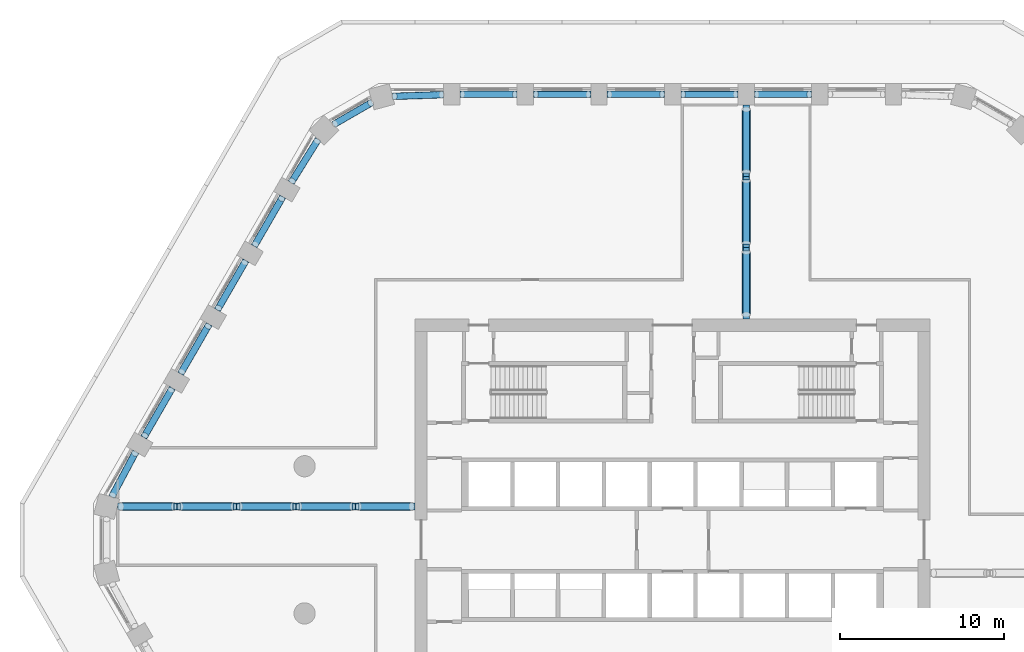
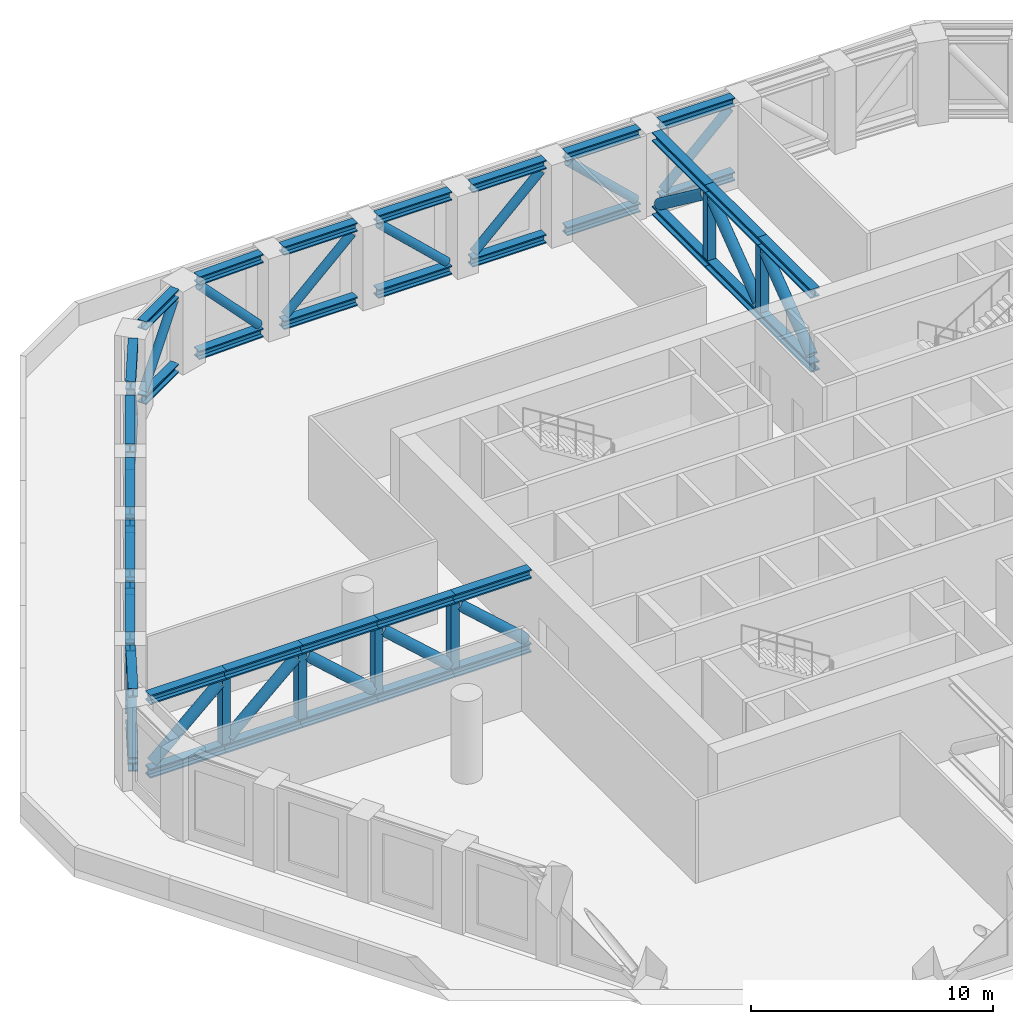
# One storey, part 3 of 18: 42 beams, 27 members.
"""IFC4 building model written with IfcOpenShell, lengths in metres."""

from ifc_helpers import new_model, si_unit, direction, frame, origin, origin_2d, place, context, subcontext, project, spatial, hollow_rectangle, hollow_circle, i_section, extrude, material, material_profile, profile_set, type_object, element, save


model = new_model("IFC4")

# Units and contexts
model_context = context("Model", 3, precision=1e-05, world=origin(), true_north=direction((0.0, 1.0)))
body_context = subcontext(model_context, "Body", "Model", "MODEL_VIEW")
ifc_project = project(units=[si_unit("LENGTHUNIT", "METRE"), si_unit("AREAUNIT", "SQUARE_METRE"), si_unit("VOLUMEUNIT", "CUBIC_METRE"), si_unit("PLANEANGLEUNIT", "RADIAN"), si_unit("MASSUNIT", "GRAM", prefix="KILO")], contexts=[model_context])

# Site, building, storey
site_placement = place(None, origin())
site = spatial("IfcSite", under=ifc_project, at=site_placement, CompositionType="ELEMENT")
building_placement = place(site_placement, origin())
building = spatial("IfcBuilding", under=site, at=building_placement, Name="Dhurran Vertical Campus", CompositionType="ELEMENT")
storey_placement = place(building_placement, frame((0.0, 0.0, 128.10009765625)))
storey = spatial("IfcBuildingStorey", under=building, at=storey_placement, Name="L31 Plant", CompositionType="ELEMENT", Elevation=128.10009765625)

# Beams
ifc_material_1 = material(Name="Steel ASTM A992", Category="steel")
ifc_material_profile_1 = material_profile(ifc_material_1, i_section(OverallWidth=0.412109375, OverallDepth=0.43505859375, WebThickness=0.035888671875, FlangeThickness=0.057373046875, at=origin_2d()), Name="W360x463")
ifc_profile_set_1 = profile_set([ifc_material_profile_1], Name="Steel ASTM A992")
beam_type_1 = type_object("IfcBeamType", Name="FR BELT CHORD W360x463", PredefinedType="BEAM", material=ifc_profile_set_1)
for number, where, z_axis, x_axis, name in (
    (1, (8.5, 27.232666015625, 0.21728515625), (-1.0, 0.0, 0.0), (0.0, -1.0, 0.0), "Belt truss chord L31"),
    (2, (8.5, 27.232666015625, 3.95751953125), (-1.0, 0.0, 0.0), (0.0, -1.0, 0.0), "Belt truss chord L31"),
    (3, (4.0, 27.232666015625, 0.21728515625), (-1.0, 0.0, 0.0), (0.0, -1.0, 0.0), "Belt truss chord L31"),
    (4, (4.0, 27.232666015625, 3.95751953125), (-1.0, 0.0, 0.0), (0.0, -1.0, 0.0), "Belt truss chord L31"),
    (5, (-0.5, 27.232666015625, 0.21728515625), (-1.0, 0.0, 0.0), (0.0, -1.0, 0.0), "Belt truss chord L31"),
    (6, (-0.5, 27.232666015625, 3.95751953125), (-1.0, 0.0, 0.0), (0.0, -1.0, 0.0), "Belt truss chord L31"),
    (7, (-5.0, 27.232666015625, 0.21728515625), (-1.0, 0.0, 0.0), (0.0, -1.0, 0.0), "Belt truss chord L31"),
    (8, (-5.0, 27.232666015625, 3.95751953125), (-1.0, 0.0, 0.0), (0.0, -1.0, 0.0), "Belt truss chord L31"),
    (9, (-9.5, 27.232666015625, 0.21728515625), (-1.0, 0.0, 0.0), (0.0, -1.0, 0.0), "Belt truss chord L31"),
    (10, (-9.5, 27.232666015625, 3.95751953125), (-1.0, 0.0, 0.0), (0.0, -1.0, 0.0), "Belt truss chord L31"),
):
    element("IfcBeam", number, at=place(storey_placement, frame(where, z_axis=z_axis, x_axis=x_axis)), inside=storey, type_object=beam_type_1, Name=name, PredefinedType="BEAM", context=body_context, shape_type="SweptSolid", body=[
        extrude(i_section(OverallWidth=0.412109375, OverallDepth=0.43505859375, WebThickness=0.035888671875, FlangeThickness=0.057373046875, at=origin_2d()), origin(), (0.0, 0.0, 1.0), 3.5),
    ])
for number, where, z_axis, x_axis, name in (
    (11, (-14.0, 27.2158203125, 0.21728515625), (-0.999418472466, -0.034098634791, 0.0), (0.034098634791, -0.999418472466, 0.0), "Belt truss chord L31"),
    (12, (-14.0, 27.2158203125, 3.95751953125), (-0.999418472466, -0.034098634791, 0.0), (0.034098634791, -0.999418472466, 0.0), "Belt truss chord L31"),
):
    element("IfcBeam", number, at=place(storey_placement, frame(where, z_axis=z_axis, x_axis=x_axis)), inside=storey, type_object=beam_type_1, Name=name, PredefinedType="BEAM", context=body_context, shape_type="SweptSolid", body=[
        extrude(i_section(OverallWidth=0.412109375, OverallDepth=0.43505859375, WebThickness=0.035888671875, FlangeThickness=0.057373046875, at=origin_2d()), origin(), (0.0, 0.0, 1.0), 3.12158203125),
    ])
for number, where, z_axis, x_axis, name in (
    (13, (-18.369384765625, 26.75, 0.21728515625), (-0.866058885866, -0.499942002849, 0.0), (0.499942002849, -0.866058885866, 0.0), "Belt truss chord L31"),
    (14, (-18.369384765625, 26.75, 3.95751953125), (-0.866058885866, -0.499942002849, 0.0), (0.499942002849, -0.866058885866, 0.0), "Belt truss chord L31"),
):
    element("IfcBeam", number, at=place(storey_placement, frame(where, z_axis=z_axis, x_axis=x_axis)), inside=storey, type_object=beam_type_1, Name=name, PredefinedType="BEAM", context=body_context, shape_type="SweptSolid", body=[
        extrude(i_section(OverallWidth=0.412109375, OverallDepth=0.43505859375, WebThickness=0.035888671875, FlangeThickness=0.057373046875, at=origin_2d()), origin(), (0.0, 0.0, 1.0), 2.727294921875),
    ])
for number, where, z_axis, x_axis, name in (
    (15, (-21.66748046875, 24.48388671875, 0.21728515625), (-0.529176156193, -0.848511989142, 0.0), (0.848511989142, -0.529176156193, 0.0), "Belt truss chord L31"),
    (16, (-21.66748046875, 24.48388671875, 3.95751953125), (-0.529176156193, -0.848511989142, 0.0), (0.848511989142, -0.529176156193, 0.0), "Belt truss chord L31"),
):
    element("IfcBeam", number, at=place(storey_placement, frame(where, z_axis=z_axis, x_axis=x_axis)), inside=storey, type_object=beam_type_1, Name=name, PredefinedType="BEAM", context=body_context, shape_type="SweptSolid", body=[
        extrude(i_section(OverallWidth=0.412109375, OverallDepth=0.43505859375, WebThickness=0.035888671875, FlangeThickness=0.057373046875, at=origin_2d()), origin(), (0.0, 0.0, 1.0), 3.12158203125),
    ])
for number, where, z_axis, x_axis, name in (
    (17, (-23.834228515625, 20.9775390625, 0.21728515625), (-0.500010275428, -0.866019471182, 0.0), (0.866019471182, -0.500010275428, 0.0), "Belt truss chord L31"),
    (18, (-23.834228515625, 20.9775390625, 3.95751953125), (-0.500010275428, -0.866019471182, 0.0), (0.866019471182, -0.500010275428, 0.0), "Belt truss chord L31"),
):
    element("IfcBeam", number, at=place(storey_placement, frame(where, z_axis=z_axis, x_axis=x_axis)), inside=storey, type_object=beam_type_1, Name=name, PredefinedType="BEAM", context=body_context, shape_type="SweptSolid", body=[
        extrude(i_section(OverallWidth=0.412109375, OverallDepth=0.43505859375, WebThickness=0.035888671875, FlangeThickness=0.057373046875, at=origin_2d()), origin(), (0.0, 0.0, 1.0), 3.5),
    ])
for number, where, z_axis, x_axis, name in (
    (19, (-26.084228515625, 17.08056640625, 0.21728515625), (-0.499980071345, -0.866036909293, 0.0), (0.866036909293, -0.499980071345, 0.0), "Belt truss chord L31"),
    (20, (-26.084228515625, 17.08056640625, 3.95751953125), (-0.499980071345, -0.866036909293, 0.0), (0.866036909293, -0.499980071345, 0.0), "Belt truss chord L31"),
    (21, (-28.334228515625, 13.183349609375, 0.21728515625), (-0.499980071345, -0.866036909293, 0.0), (0.866036909293, -0.499980071345, 0.0), "Belt truss chord L31"),
    (22, (-28.334228515625, 13.183349609375, 3.95751953125), (-0.499980071345, -0.866036909293, 0.0), (0.866036909293, -0.499980071345, 0.0), "Belt truss chord L31"),
):
    element("IfcBeam", number, at=place(storey_placement, frame(where, z_axis=z_axis, x_axis=x_axis)), inside=storey, type_object=beam_type_1, Name=name, PredefinedType="BEAM", context=body_context, shape_type="SweptSolid", body=[
        extrude(i_section(OverallWidth=0.412109375, OverallDepth=0.43505859375, WebThickness=0.035888671875, FlangeThickness=0.057373046875, at=origin_2d()), origin(), (0.0, 0.0, 1.0), 3.500244140625),
    ])
for number, where, z_axis, x_axis, name in (
    (23, (-30.584228515625, 9.2861328125, 0.21728515625), (-0.500010275428, -0.866019471182, 0.0), (0.866019471182, -0.500010275428, 0.0), "Belt truss chord L31"),
    (24, (-30.584228515625, 9.2861328125, 3.95751953125), (-0.500010275428, -0.866019471182, 0.0), (0.866019471182, -0.500010275428, 0.0), "Belt truss chord L31"),
):
    element("IfcBeam", number, at=place(storey_placement, frame(where, z_axis=z_axis, x_axis=x_axis)), inside=storey, type_object=beam_type_1, Name=name, PredefinedType="BEAM", context=body_context, shape_type="SweptSolid", body=[
        extrude(i_section(OverallWidth=0.412109375, OverallDepth=0.43505859375, WebThickness=0.035888671875, FlangeThickness=0.057373046875, at=origin_2d()), origin(), (0.0, 0.0, 1.0), 3.5),
    ])
for number, where, z_axis, x_axis, name in (
    (25, (-32.8193359375, 5.380615234375, 0.21728515625), (-0.470243179816, -0.882536884122, 0.0), (0.882536884122, -0.470243179816, 0.0), "Belt truss chord L31"),
    (26, (-32.8193359375, 5.380615234375, 3.95751953125), (-0.470243179816, -0.882536884122, 0.0), (0.882536884122, -0.470243179816, 0.0), "Belt truss chord L31"),
):
    element("IfcBeam", number, at=place(storey_placement, frame(where, z_axis=z_axis, x_axis=x_axis)), inside=storey, type_object=beam_type_1, Name=name, PredefinedType="BEAM", context=body_context, shape_type="SweptSolid", body=[
        extrude(i_section(OverallWidth=0.412109375, OverallDepth=0.43505859375, WebThickness=0.035888671875, FlangeThickness=0.057373046875, at=origin_2d()), origin(), (0.0, 0.0, 1.0), 3.121826171875),
    ])

# Members
ifc_material_2 = material(Name="Steel S355J2H", Category="steel")
ifc_material_profile_2 = material_profile(ifc_material_2, hollow_circle(Radius=0.203125, WallThickness=0.01611328125, at=origin_2d()), Name="CHS406.4x16")
ifc_profile_set_2 = profile_set([ifc_material_profile_2], Name="Steel S355J2H")
member_type_1 = type_object("IfcMemberType", Name="FR BELT DIAGONAL CHS406.4x16", PredefinedType="BRACE", material=ifc_profile_set_2)
for number, where, z_axis, x_axis, name in (
    (27, (5.156494140625, 27.232666015625, 0.58251953125), (0.727034775792, 0.0, 0.686600637044), (0.0, 1.0, 0.0), "Belt truss diagonal L31"),
    (28, (3.843505859375, 27.232666015625, 0.58251953125), (-0.727034775792, 0.0, 0.686600637044), (0.0, -1.0, 0.0), "Belt truss diagonal L31"),
    (29, (-3.843505859375, 27.232666015625, 0.58251953125), (0.727034775792, 0.0, 0.686600637044), (0.0, 1.0, 0.0), "Belt truss diagonal L31"),
    (30, (-5.156494140625, 27.232666015625, 0.58251953125), (-0.727034775792, 0.0, 0.686600637044), (0.0, -1.0, 0.0), "Belt truss diagonal L31"),
    (31, (-12.843505859375, 27.232666015625, 0.58251953125), (0.727034775792, 0.0, 0.686600637044), (0.0, 1.0, 0.0), "Belt truss diagonal L31"),
):
    element("IfcMember", number, at=place(storey_placement, frame(where, z_axis=z_axis, x_axis=x_axis)), inside=storey, type_object=member_type_1, Name=name, PredefinedType="BRACE", context=body_context, shape_type="SweptSolid", body=[
        extrude(hollow_circle(Radius=0.203125, WallThickness=0.01611328125, at=origin_2d()), origin(), (0.0, 0.0, 1.0), 4.383544921875),
    ])
member_1_placement = place(storey_placement, frame((-14.131591796875, 27.211181640625, 0.574462890625), z_axis=(-0.686266660037, -0.023403452765, 0.726973417478), x_axis=(0.034082750999, -0.99941901427, 0.0)))
element("IfcMember", 32, at=member_1_placement, inside=storey, type_object=member_type_1, Name="Belt truss diagonal L31", PredefinedType="BRACE", context=body_context, shape_type="SweptSolid", body=[
    extrude(hollow_circle(Radius=0.203125, WallThickness=0.01611328125, at=origin_2d()), origin(), (0.0, 0.0, 1.0), 4.162353515625),
])
member_2_placement = place(storey_placement, frame((-20.63916015625, 25.439697265625, 0.564208984375), z_axis=(0.55122586899, 0.318262166341, 0.771271181124), x_axis=(-0.500013859761, 0.8660174017, 0.0)))
element("IfcMember", 33, at=member_2_placement, inside=storey, type_object=member_type_1, Name="Belt truss diagonal L31", PredefinedType="BRACE", context=body_context, shape_type="SweptSolid", body=[
    extrude(hollow_circle(Radius=0.203125, WallThickness=0.01611328125, at=origin_2d()), origin(), (0.0, 0.0, 1.0), 3.94970703125),
])
member_3_placement = place(storey_placement, frame((-21.7373046875, 24.371826171875, 0.574462890625), z_axis=(-0.363385996339, -0.58259075313, 0.727006624476), x_axis=(0.848477892865, -0.529230824234, 0.0)))
element("IfcMember", 34, at=member_3_placement, inside=storey, type_object=member_type_1, Name="Belt truss diagonal L31", PredefinedType="BRACE", context=body_context, shape_type="SweptSolid", body=[
    extrude(hollow_circle(Radius=0.203125, WallThickness=0.01611328125, at=origin_2d()), origin(), (0.0, 0.0, 1.0), 4.162109375),
])
member_4_placement = place(storey_placement, frame((-25.506103515625, 18.08203125, 0.58251953125), z_axis=(0.363566940139, 0.629614622896, 0.686589037688), x_axis=(-0.86599040064, 0.500060622324, 0.0)))
element("IfcMember", 35, at=member_4_placement, inside=storey, type_object=member_type_1, Name="Belt truss diagonal L31", PredefinedType="BRACE", context=body_context, shape_type="SweptSolid", body=[
    extrude(hollow_circle(Radius=0.203125, WallThickness=0.01611328125, at=origin_2d()), origin(), (0.0, 0.0, 1.0), 4.383544921875),
])
for number, where, z_axis, x_axis, name in (
    (36, (-26.162353515625, 16.945068359375, 0.58251953125), (-0.363554191618, -0.629648236892, 0.686564962357), (0.866009553984, -0.500027451655, 0.0), "Belt truss diagonal L31"),
    (37, (-30.006103515625, 10.28759765625, 0.58251953125), (0.363554191618, 0.629648236892, 0.686564962357), (-0.866009553984, 0.500027451655, 0.0), "Belt truss diagonal L31"),
):
    element("IfcMember", number, at=place(storey_placement, frame(where, z_axis=z_axis, x_axis=x_axis)), inside=storey, type_object=member_type_1, Name=name, PredefinedType="BRACE", context=body_context, shape_type="SweptSolid", body=[
        extrude(hollow_circle(Radius=0.203125, WallThickness=0.01611328125, at=origin_2d()), origin(), (0.0, 0.0, 1.0), 4.3837890625),
    ])
member_5_placement = place(storey_placement, frame((-30.662353515625, 9.150634765625, 0.58251953125), z_axis=(-0.363566940139, -0.629614622896, 0.686589037688), x_axis=(0.86599040064, -0.500060622324, 0.0)))
element("IfcMember", 38, at=member_5_placement, inside=storey, type_object=member_type_1, Name="Belt truss diagonal L31", PredefinedType="BRACE", context=body_context, shape_type="SweptSolid", body=[
    extrude(hollow_circle(Radius=0.203125, WallThickness=0.01611328125, at=origin_2d()), origin(), (0.0, 0.0, 1.0), 4.383544921875),
])
member_6_placement = place(storey_placement, frame((-34.225341796875, 2.741943359375, 0.574462890625), z_axis=(0.322893902502, 0.606019945622, 0.726965854243), x_axis=(-0.882544394798, 0.470229083756, 0.0)))
element("IfcMember", 39, at=member_6_placement, inside=storey, type_object=member_type_1, Name="Belt truss diagonal L31", PredefinedType="BRACE", context=body_context, shape_type="SweptSolid", body=[
    extrude(hollow_circle(Radius=0.203125, WallThickness=0.01611328125, at=origin_2d()), origin(), (0.0, 0.0, 1.0), 4.162353515625),
])

# Beams
ifc_material_3 = material(Name="Steel ASTM A992", Category="steel")
ifc_material_profile_3 = material_profile(ifc_material_3, i_section(OverallWidth=0.41796875, OverallDepth=0.455078125, WebThickness=0.042236328125, FlangeThickness=0.067626953125, at=origin_2d()), Name="W360x551")
ifc_profile_set_3 = profile_set([ifc_material_profile_3], Name="Steel ASTM A992")
beam_type_2 = type_object("IfcBeamType", Name="FR OUTRIGGER CHORD W360x551", PredefinedType="BEAM", material=ifc_profile_set_3)
for number, where, z_axis, x_axis, name in (
    (40, (4.5, 13.5, 0.227294921875), (0.0, 1.0, 0.0), (-1.0, 0.0, 0.0), "Outrigger truss chord L31"),
    (41, (4.5, 13.5, 3.947509765625), (0.0, 1.0, 0.0), (-1.0, 0.0, 0.0), "Outrigger truss chord L31"),
    (42, (4.5, 17.86083984375, 0.227294921875), (0.0, 1.0, 0.0), (-1.0, 0.0, 0.0), "Outrigger truss chord L31"),
    (43, (4.5, 17.86083984375, 3.947509765625), (0.0, 1.0, 0.0), (-1.0, 0.0, 0.0), "Outrigger truss chord L31"),
):
    element("IfcBeam", number, at=place(storey_placement, frame(where, z_axis=z_axis, x_axis=x_axis)), inside=storey, type_object=beam_type_2, Name=name, PredefinedType="BEAM", context=body_context, shape_type="SweptSolid", body=[
        extrude(i_section(OverallWidth=0.41796875, OverallDepth=0.455078125, WebThickness=0.042236328125, FlangeThickness=0.067626953125, at=origin_2d()), origin(), (0.0, 0.0, 1.0), 4.36083984375),
    ])
for number, where, z_axis, x_axis, name in (
    (44, (4.5, 22.2216796875, 0.227294921875), (0.0, 1.0, 0.0), (-1.0, 0.0, 0.0), "Outrigger truss chord L31"),
    (45, (4.5, 22.2216796875, 3.947509765625), (0.0, 1.0, 0.0), (-1.0, 0.0, 0.0), "Outrigger truss chord L31"),
):
    element("IfcBeam", number, at=place(storey_placement, frame(where, z_axis=z_axis, x_axis=x_axis)), inside=storey, type_object=beam_type_2, Name=name, PredefinedType="BEAM", context=body_context, shape_type="SweptSolid", body=[
        extrude(i_section(OverallWidth=0.41796875, OverallDepth=0.455078125, WebThickness=0.042236328125, FlangeThickness=0.067626953125, at=origin_2d()), origin(), (0.0, 0.0, 1.0), 4.361083984375),
    ])
for number, where, z_axis, x_axis, name in (
    (46, (-15.75, 2.03662109375, 0.227294921875), (-1.0, 0.0, 0.0), (0.0, -1.0, 0.0), "Outrigger truss chord L31"),
    (47, (-15.75, 2.03662109375, 3.947509765625), (-1.0, 0.0, 0.0), (0.0, -1.0, 0.0), "Outrigger truss chord L31"),
):
    element("IfcBeam", number, at=place(storey_placement, frame(where, z_axis=z_axis, x_axis=x_axis)), inside=storey, type_object=beam_type_2, Name=name, PredefinedType="BEAM", context=body_context, shape_type="SweptSolid", body=[
        extrude(i_section(OverallWidth=0.41796875, OverallDepth=0.455078125, WebThickness=0.042236328125, FlangeThickness=0.067626953125, at=origin_2d()), origin(), (0.0, 0.0, 1.0), 3.635498046875),
    ])
for number, where, z_axis, x_axis, name in (
    (48, (-19.385498046875, 2.03662109375, 0.227294921875), (-1.0, 0.0, 0.0), (0.0, -1.0, 0.0), "Outrigger truss chord L31"),
    (49, (-19.385498046875, 2.03662109375, 3.947509765625), (-1.0, 0.0, 0.0), (0.0, -1.0, 0.0), "Outrigger truss chord L31"),
    (50, (-23.021240234375, 2.03662109375, 0.227294921875), (-1.0, 0.0, 0.0), (0.0, -1.0, 0.0), "Outrigger truss chord L31"),
    (51, (-23.021240234375, 2.03662109375, 3.947509765625), (-1.0, 0.0, 0.0), (0.0, -1.0, 0.0), "Outrigger truss chord L31"),
):
    element("IfcBeam", number, at=place(storey_placement, frame(where, z_axis=z_axis, x_axis=x_axis)), inside=storey, type_object=beam_type_2, Name=name, PredefinedType="BEAM", context=body_context, shape_type="SweptSolid", body=[
        extrude(i_section(OverallWidth=0.41796875, OverallDepth=0.455078125, WebThickness=0.042236328125, FlangeThickness=0.067626953125, at=origin_2d()), origin(), (0.0, 0.0, 1.0), 3.6357421875),
    ])
for number, where, z_axis, x_axis, name in (
    (52, (-26.656982421875, 2.03662109375, 0.227294921875), (-1.0, 0.0, 0.0), (0.0, -1.0, 0.0), "Outrigger truss chord L31"),
    (53, (-26.656982421875, 2.03662109375, 3.947509765625), (-1.0, 0.0, 0.0), (0.0, -1.0, 0.0), "Outrigger truss chord L31"),
    (54, (-30.29248046875, 2.03662109375, 0.227294921875), (-1.0, 0.0, 0.0), (0.0, -1.0, 0.0), "Outrigger truss chord L31"),
    (55, (-30.29248046875, 2.03662109375, 3.947509765625), (-1.0, 0.0, 0.0), (0.0, -1.0, 0.0), "Outrigger truss chord L31"),
):
    element("IfcBeam", number, at=place(storey_placement, frame(where, z_axis=z_axis, x_axis=x_axis)), inside=storey, type_object=beam_type_2, Name=name, PredefinedType="BEAM", context=body_context, shape_type="SweptSolid", body=[
        extrude(i_section(OverallWidth=0.41796875, OverallDepth=0.455078125, WebThickness=0.042236328125, FlangeThickness=0.067626953125, at=origin_2d()), origin(), (0.0, 0.0, 1.0), 3.635498046875),
    ])

# Members
ifc_material_4 = material(Name="Steel S355J2H", Category="steel")
ifc_material_profile_4 = material_profile(ifc_material_4, hollow_circle(Radius=0.25390625, WallThickness=0.01611328125, at=origin_2d()), Name="CHS508x16")
ifc_profile_set_4 = profile_set([ifc_material_profile_4], Name="Steel S355J2H")
member_type_2 = type_object("IfcMemberType", Name="FR OUTRIGGER DIAGONAL CHS508x16", PredefinedType="BRACE", material=ifc_profile_set_4)
member_7_placement = place(storey_placement, frame((4.5, 13.771484375, 0.658203125), z_axis=(0.0, 0.800503424042, 0.59932818063), x_axis=(-1.0, 0.0, 0.0)))
element("IfcMember", 56, at=member_7_placement, inside=storey, type_object=member_type_2, Name="Outrigger truss diagonal L31", PredefinedType="BRACE", context=body_context, shape_type="SweptSolid", body=[
    extrude(hollow_circle(Radius=0.25390625, WallThickness=0.01611328125, at=origin_2d()), origin(), (0.0, 0.0, 1.0), 4.769287109375),
])
for number, where, z_axis, x_axis, name in (
    (57, (4.5, 18.132568359375, 0.658203125), (0.0, 0.80048503589, 0.599352740309), (-1.0, 0.0, 0.0), "Outrigger truss diagonal L31"),
    (58, (4.5, 26.31103515625, 0.658203125), (0.0, -0.80048503589, 0.599352740309), (1.0, 0.0, 0.0), "Outrigger truss diagonal L31"),
):
    element("IfcMember", number, at=place(storey_placement, frame(where, z_axis=z_axis, x_axis=x_axis)), inside=storey, type_object=member_type_2, Name=name, PredefinedType="BRACE", context=body_context, shape_type="SweptSolid", body=[
        extrude(hollow_circle(Radius=0.25390625, WallThickness=0.01611328125, at=origin_2d()), origin(), (0.0, 0.0, 1.0), 4.76904296875),
    ])
member_8_placement = place(storey_placement, frame((-15.96044921875, 2.03662109375, 0.643798828125), z_axis=(-0.744001706077, 0.0, 0.668177716895), x_axis=(0.0, -1.0, 0.0)))
element("IfcMember", 59, at=member_8_placement, inside=storey, type_object=member_type_2, Name="Outrigger truss diagonal L31", PredefinedType="BRACE", context=body_context, shape_type="SweptSolid", body=[
    extrude(hollow_circle(Radius=0.25390625, WallThickness=0.01611328125, at=origin_2d()), origin(), (0.0, 0.0, 1.0), 4.321044921875),
])
for number, where, z_axis, x_axis, name in (
    (60, (-19.59619140625, 2.03662109375, 0.643798828125), (-0.743976479085, 0.0, 0.668205805548), (0.0, -1.0, 0.0), "Outrigger truss diagonal L31"),
    (61, (-23.231689453125, 2.03662109375, 0.643798828125), (-0.743976479085, 0.0, 0.668205805548), (0.0, -1.0, 0.0), "Outrigger truss diagonal L31"),
):
    element("IfcMember", number, at=place(storey_placement, frame(where, z_axis=z_axis, x_axis=x_axis)), inside=storey, type_object=member_type_2, Name=name, PredefinedType="BRACE", context=body_context, shape_type="SweptSolid", body=[
        extrude(hollow_circle(Radius=0.25390625, WallThickness=0.01611328125, at=origin_2d()), origin(), (0.0, 0.0, 1.0), 4.32080078125),
    ])
for number, where, z_axis, x_axis, name in (
    (62, (-30.08203125, 2.03662109375, 0.643798828125), (0.744001706077, 0.0, 0.668177716895), (0.0, 1.0, 0.0), "Outrigger truss diagonal L31"),
    (63, (-33.7177734375, 2.03662109375, 0.643798828125), (0.744001706077, 0.0, 0.668177716895), (0.0, 1.0, 0.0), "Outrigger truss diagonal L31"),
):
    element("IfcMember", number, at=place(storey_placement, frame(where, z_axis=z_axis, x_axis=x_axis)), inside=storey, type_object=member_type_2, Name=name, PredefinedType="BRACE", context=body_context, shape_type="SweptSolid", body=[
        extrude(hollow_circle(Radius=0.25390625, WallThickness=0.01611328125, at=origin_2d()), origin(), (0.0, 0.0, 1.0), 4.321044921875),
    ])
ifc_material_5 = material(Name="Steel S355J2H", Category="steel")
ifc_material_profile_5 = material_profile(ifc_material_5, hollow_rectangle(XDim=0.39990234375, YDim=0.39990234375, WallThickness=0.01611328125, at=origin_2d()), Name="SHS400x400x16")
ifc_profile_set_5 = profile_set([ifc_material_profile_5], Name="Steel S355J2H")
member_type_3 = type_object("IfcMemberType", Name="FR OUTRIGGER POST SHS400x400x16", PredefinedType="POST", material=ifc_profile_set_5)
for number, where, z_axis, x_axis, name in (
    (64, (4.5, 17.86083984375, 0.454833984375), (0.0, 0.0, 1.0), (0.0, 1.0, 0.0), "Outrigger truss post L31"),
    (65, (4.5, 22.2216796875, 0.454833984375), (0.0, 0.0, 1.0), (0.0, 1.0, 0.0), "Outrigger truss post L31"),
    (66, (-19.385498046875, 2.03662109375, 0.454833984375), (0.0, 0.0, 1.0), (-1.0, 0.0, 0.0), "Outrigger truss post L31"),
    (67, (-23.021240234375, 2.03662109375, 0.454833984375), (0.0, 0.0, 1.0), (-1.0, 0.0, 0.0), "Outrigger truss post L31"),
    (68, (-26.656982421875, 2.03662109375, 0.454833984375), (0.0, 0.0, 1.0), (-1.0, 0.0, 0.0), "Outrigger truss post L31"),
    (69, (-30.29248046875, 2.03662109375, 0.454833984375), (0.0, 0.0, 1.0), (-1.0, 0.0, 0.0), "Outrigger truss post L31"),
):
    element("IfcMember", number, at=place(storey_placement, frame(where, z_axis=z_axis, x_axis=x_axis)), inside=storey, type_object=member_type_3, Name=name, PredefinedType="POST", context=body_context, shape_type="SweptSolid", body=[
        extrude(hollow_rectangle(XDim=0.39990234375, YDim=0.39990234375, WallThickness=0.01611328125, at=origin_2d()), origin(), (0.0, 0.0, 1.0), 3.26513671875),
    ])

save(model, "model.ifc")
